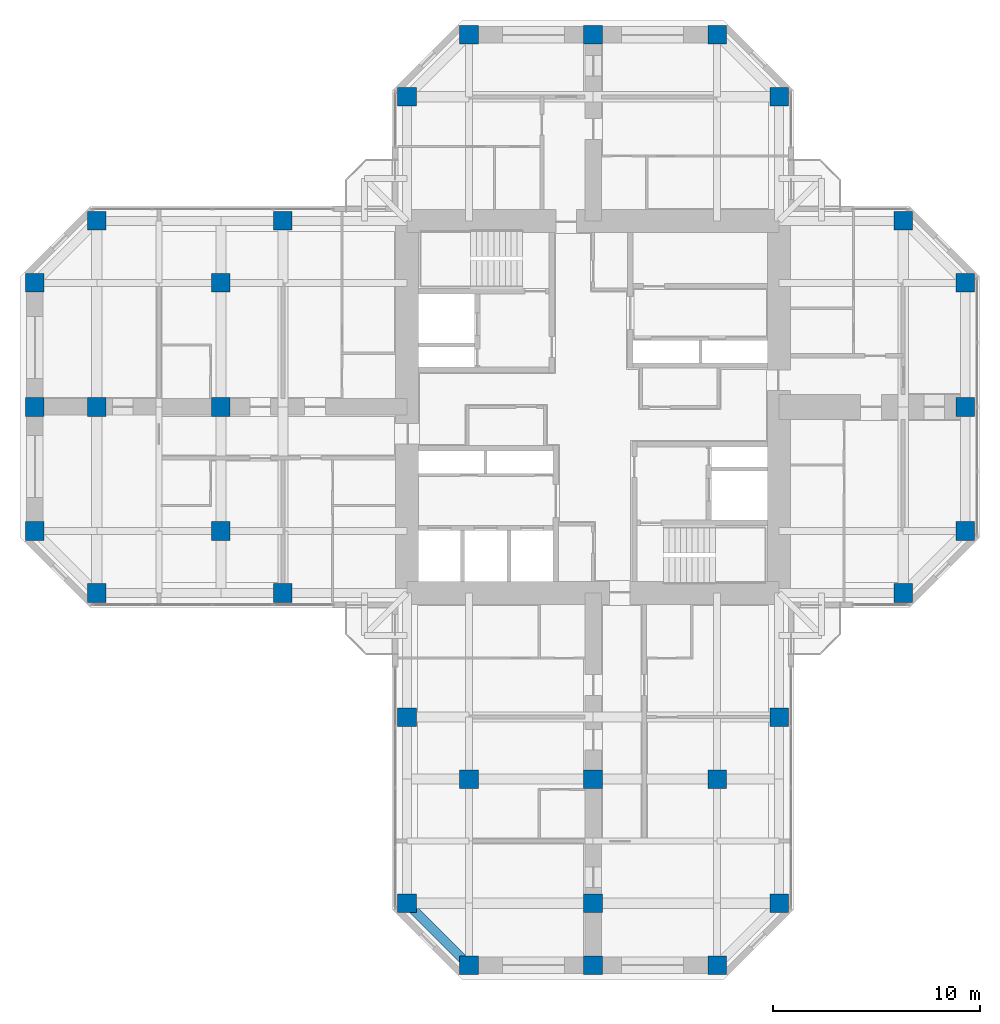
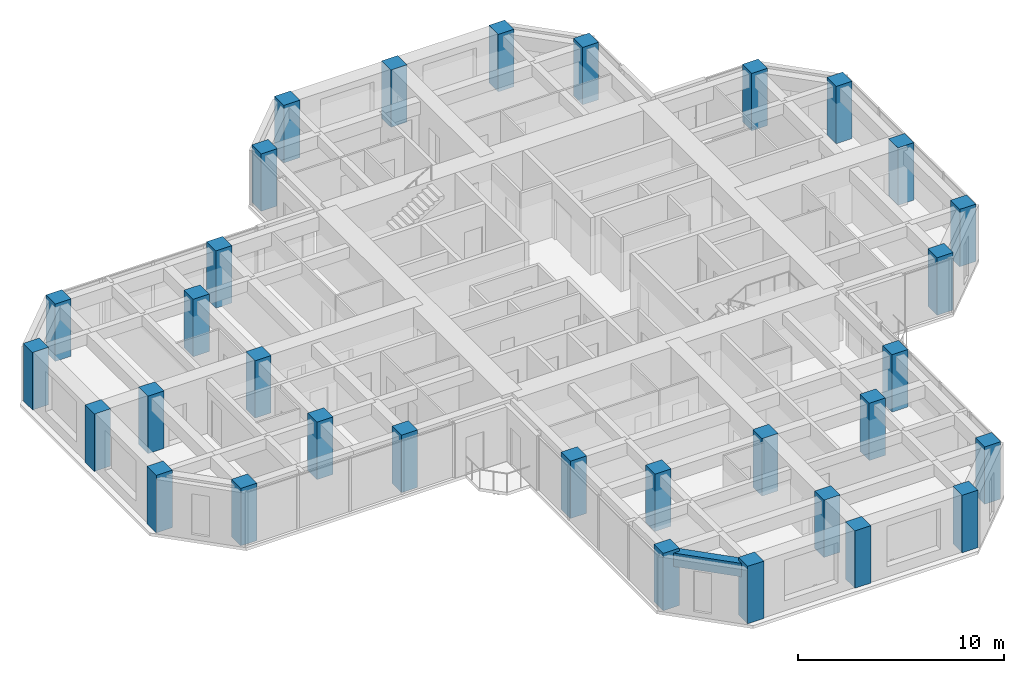
# One storey, part 1 of 14: 32 columns, 1 beam.
"""IFC4 building model written with IfcOpenShell, lengths in metres."""

from ifc_helpers import new_model, si_unit, direction, frame, origin, origin_2d, place, context, subcontext, project, spatial, rectangle, extrude, material, material_profile, profile_set, type_object, element, save


model = new_model("IFC4")

# Units and contexts
model_context = context("Model", 3, precision=1e-05, world=origin(), true_north=direction((0.0, 1.0)))
body_context = subcontext(model_context, "Body", "Model", "MODEL_VIEW")
ifc_project = project(units=[si_unit("LENGTHUNIT", "METRE"), si_unit("AREAUNIT", "SQUARE_METRE"), si_unit("VOLUMEUNIT", "CUBIC_METRE"), si_unit("PLANEANGLEUNIT", "RADIAN"), si_unit("MASSUNIT", "GRAM", prefix="KILO")], contexts=[model_context])

# Site, building, storey
site_placement = place(None, origin())
site = spatial("IfcSite", under=ifc_project, at=site_placement, CompositionType="ELEMENT")
building_placement = place(site_placement, origin())
building = spatial("IfcBuilding", under=site, at=building_placement, Name="Torre Cruceta", CompositionType="ELEMENT")
storey_placement = place(building_placement, frame((0.0, 0.0, 186.5)))
storey = spatial("IfcBuildingStorey", under=building, at=storey_placement, Name="L46", CompositionType="ELEMENT", Elevation=186.5)

# Columns
ifc_material_1 = material(Name="Concrete G60 (fck 60 MPa)", Category="concrete")
ifc_material_profile_1 = material_profile(ifc_material_1, rectangle(XDim=0.89990234375, YDim=0.89990234375, at=origin_2d()), Name="RC 900X900")
ifc_profile_set_1 = profile_set([ifc_material_profile_1], Name="Concrete G60 (fck 60 MPa)")
column_type = type_object("IfcColumnType", Name="COLUMN RC 900X900", PredefinedType="COLUMN", material=ifc_profile_set_1)
for number, where, z_axis, x_axis, name in (
    (1, (9.0, 15.0, 0.0), (0.0, 0.0, 1.0), (1.0, 0.0, 0.0), "C6 L46 N chamfer"),
    (2, (-9.0, 15.0, 0.0), (0.0, 0.0, 1.0), (1.0, 0.0, 0.0), "C6 L46 N chamfer"),
    (3, (6.0, 18.0, 0.0), (0.0, 0.0, 1.0), (1.0, 0.0, 0.0), "C6 L46 N tip"),
    (4, (0.0, 18.0, 0.0), (0.0, 0.0, 1.0), (1.0, 0.0, 0.0), "C6 L46 N tip"),
    (5, (-6.0, 18.0, 0.0), (0.0, 0.0, 1.0), (1.0, 0.0, 0.0), "C6 L46 N tip"),
    (6, (15.0, -9.0, 0.0), (0.0, 0.0, 1.0), (1.0, 0.0, 0.0), "C6 L46 E chamfer"),
    (7, (15.0, 9.0, 0.0), (0.0, 0.0, 1.0), (1.0, 0.0, 0.0), "C6 L46 E chamfer"),
    (8, (18.0, -6.0, 0.0), (0.0, 0.0, 1.0), (1.0, 0.0, 0.0), "C6 L46 E tip"),
    (9, (18.0, 0.0, 0.0), (0.0, 0.0, 1.0), (1.0, 0.0, 0.0), "C6 L46 E tip"),
    (10, (18.0, 6.0, 0.0), (0.0, 0.0, 1.0), (1.0, 0.0, 0.0), "C6 L46 E tip"),
    (11, (-9.0, -15.0, 0.0), (0.0, 0.0, 1.0), (1.0, 0.0, 0.0), "C6 L46 S side"),
    (12, (-9.0, -24.0, 0.0), (0.0, 0.0, 1.0), (1.0, 0.0, 0.0), "C6 L46 S chamfer"),
    (13, (9.0, -15.0, 0.0), (0.0, 0.0, 1.0), (1.0, 0.0, 0.0), "C6 L46 S side"),
    (14, (9.0, -24.0, 0.0), (0.0, 0.0, 1.0), (1.0, 0.0, 0.0), "C6 L46 S chamfer"),
    (15, (-6.0, -27.0, 0.0), (0.0, 0.0, 1.0), (1.0, 0.0, 0.0), "C6 L46 S tip"),
    (16, (0.0, -27.0, 0.0), (0.0, 0.0, 1.0), (1.0, 0.0, 0.0), "C6 L46 S tip"),
    (17, (6.0, -27.0, 0.0), (0.0, 0.0, 1.0), (1.0, 0.0, 0.0), "C6 L46 S tip"),
    (18, (-15.0, 9.0, 0.0), (0.0, 0.0, 1.0), (1.0, 0.0, 0.0), "C6 L46 W side"),
    (19, (-24.0, 9.0, 0.0), (0.0, 0.0, 1.0), (1.0, 0.0, 0.0), "C6 L46 W chamfer"),
    (20, (-15.0, -9.0, 0.0), (0.0, 0.0, 1.0), (1.0, 0.0, 0.0), "C6 L46 W side"),
    (21, (-24.0, -9.0, 0.0), (0.0, 0.0, 1.0), (1.0, 0.0, 0.0), "C6 L46 W chamfer"),
    (22, (-27.0, 6.0, 0.0), (0.0, 0.0, 1.0), (1.0, 0.0, 0.0), "C6 L46 W tip"),
    (23, (-27.0, 0.0, 0.0), (0.0, 0.0, 1.0), (1.0, 0.0, 0.0), "C6 L46 W tip"),
    (24, (-27.0, -6.0, 0.0), (0.0, 0.0, 1.0), (1.0, 0.0, 0.0), "C6 L46 W tip"),
    (25, (-6.0, -18.0, 0.0), (0.0, 0.0, 1.0), (1.0, 0.0, 0.0), "C6 L46 S interior"),
    (26, (0.0, -18.0, 0.0), (0.0, 0.0, 1.0), (1.0, 0.0, 0.0), "C6 L46 S interior"),
    (27, (6.0, -18.0, 0.0), (0.0, 0.0, 1.0), (1.0, 0.0, 0.0), "C6 L46 S interior"),
    (28, (0.0, -24.0, 0.0), (0.0, 0.0, 1.0), (1.0, 0.0, 0.0), "C6 L46 S interior"),
    (29, (-18.0, 6.0, 0.0), (0.0, 0.0, 1.0), (1.0, 0.0, 0.0), "C6 L46 W interior"),
    (30, (-18.0, 0.0, 0.0), (0.0, 0.0, 1.0), (1.0, 0.0, 0.0), "C6 L46 W interior"),
    (31, (-18.0, -6.0, 0.0), (0.0, 0.0, 1.0), (1.0, 0.0, 0.0), "C6 L46 W interior"),
    (32, (-24.0, 0.0, 0.0), (0.0, 0.0, 1.0), (1.0, 0.0, 0.0), "C6 L46 W interior"),
):
    element("IfcColumn", number, at=place(storey_placement, frame(where, z_axis=z_axis, x_axis=x_axis)), inside=storey, type_object=column_type, Name=name, PredefinedType="COLUMN", context=body_context, shape_type="SweptSolid", body=[
        extrude(rectangle(XDim=0.89990234375, YDim=0.89990234375, at=origin_2d()), origin(), (0.0, 0.0, 1.0), 3.39990234375),
    ])

# Beam
ifc_material_2 = material(Name="Concrete G60 (fck 60 MPa)", Category="concrete")
ifc_material_profile_2 = material_profile(ifc_material_2, rectangle(XDim=0.449951171875, YDim=0.800048828125, at=origin_2d()), Name="RC 450X800")
ifc_profile_set_2 = profile_set([ifc_material_profile_2], Name="Concrete G60 (fck 60 MPa)")
beam_type = type_object("IfcBeamType", Name="SPANDREL BEAM RC 450X800", PredefinedType="SPANDREL", material=ifc_profile_set_2)
beam_placement = place(storey_placement, frame((-9.0, -24.0, 2.820068359375), z_axis=(0.707106781187, -0.707106781187, 0.0), x_axis=(0.707106781187, 0.707106781187, 0.0)))
element("IfcBeam", 33, at=beam_placement, inside=storey, type_object=beam_type, Name="SB6 L46 S side- 5", PredefinedType="SPANDREL", context=body_context, shape_type="SweptSolid", body=[
    extrude(rectangle(XDim=0.449951171875, YDim=0.800048828125, at=origin_2d()), origin(), (0.0, 0.0, 1.0), 4.24267578125),
])

save(model, "model.ifc")
